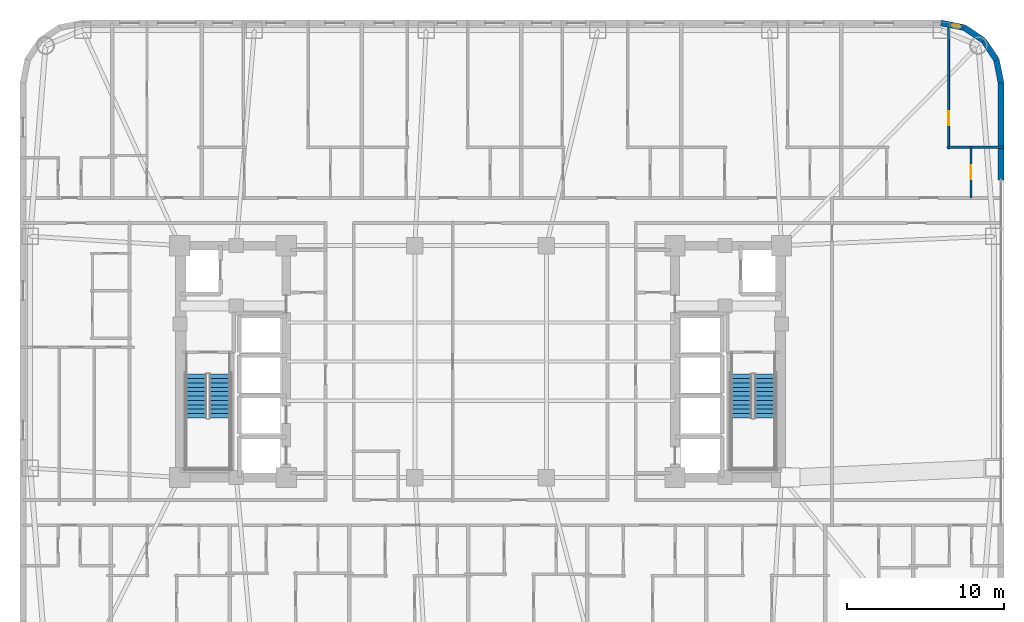
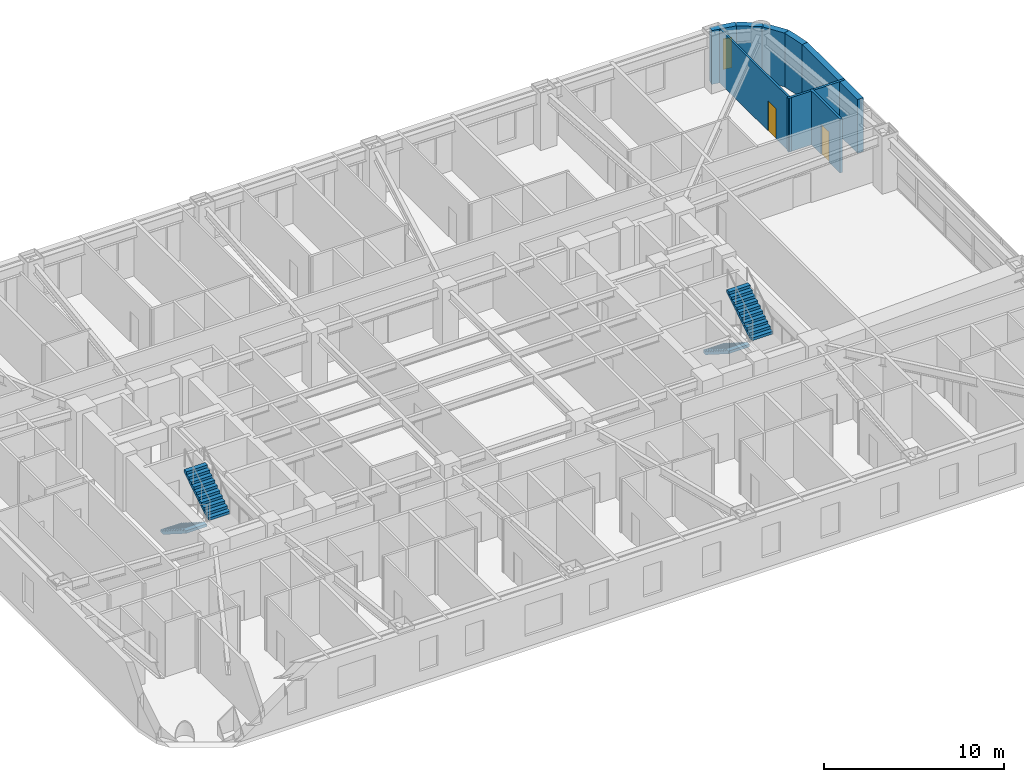
# One storey, part 14 of 16: 8 walls, 4 stair flights, 2 doors, 1 window, 3 openings, 2 elements without a shape of their own.
"""IFC4 building model written with IfcOpenShell, lengths in metres."""

from ifc_helpers import new_model, si_unit, direction, frame, frame_2d, origin, place, context, subcontext, project, spatial, polyline, rectangle, outline, extrude, material, layer, layer_set, type_object, element, fill, aggregate, save


model = new_model("IFC4")

# Units and contexts
model_context = context("Model", 3, precision=1e-05, world=origin(), true_north=direction((0.0, 1.0)))
body_context = subcontext(model_context, "Body", "Model", "MODEL_VIEW")
ifc_project = project(units=[si_unit("LENGTHUNIT", "METRE"), si_unit("AREAUNIT", "SQUARE_METRE"), si_unit("VOLUMEUNIT", "CUBIC_METRE"), si_unit("PLANEANGLEUNIT", "RADIAN"), si_unit("MASSUNIT", "GRAM", prefix="KILO")], contexts=[model_context])

# Site, building, storey
site_placement = place(None, origin())
site = spatial("IfcSite", under=ifc_project, at=site_placement, CompositionType="ELEMENT")
building_placement = place(site_placement, origin())
building = spatial("IfcBuilding", under=site, at=building_placement, Name="Voryun Gate Residences", CompositionType="ELEMENT")
storey_placement = place(building_placement, frame((0.0, 0.0, 93.60009765625)))
storey = spatial("IfcBuildingStorey", under=building, at=storey_placement, Name="L22", CompositionType="ELEMENT", Elevation=93.60009765625)

# Wall, opening, window
ifc_material_1 = material(Name="Granite masonry", Category="masonry")
ifc_layer_1 = layer(ifc_material_1, 0.3798828125, Name="W_EXT_GRANITE_380")
ifc_layer_set_1 = layer_set([ifc_layer_1], Name="Granite masonry")
wall_type_1 = type_object("IfcWallType", Name="W_EXT_GRANITE_380", PredefinedType="ELEMENTEDWALL", material=ifc_layer_set_1)
wall_1_placement = place(storey_placement, frame((29.38134765625, 21.610107421875, 0.0), z_axis=(0.0, 0.0, 1.0), x_axis=(0.980755066645, -0.195242155415, 0.0)))
wall_1 = element("IfcWall", 1, at=wall_1_placement, inside=storey, type_object=wall_type_1, Name="Exterior wall WEXT-L22-12", PredefinedType="ELEMENTEDWALL", context=body_context, shape_type="SweptSolid", body=[
    extrude(rectangle(XDim=1.50439453125, YDim=0.3798828125, at=frame_2d((0.752197265625, 0.0))), origin(), (0.0, 0.0, 1.0), 3.64990234375),
])
opening_1_placement = place(wall_1_placement, frame((0.732177734375, 0.0, 0.75)))
opening_1 = element("IfcOpeningElement", 2, at=opening_1_placement, cuts=wall_1, Name="Opening WN10", PredefinedType="OPENING", context=body_context, shape_type="SweptSolid", body=[
    extrude(rectangle(XDim=0.52001953125, YDim=2.050048828125, at=frame_2d((0.260009765625, 1.02490234375))), frame((0.0, 0.199951171875, 0.0), z_axis=(0.0, -1.0, 0.0), x_axis=(1.0, 0.0, 0.0)), (0.0, 0.0, 1.0), 0.39990234375),
])
ifc_material_2 = material(Name="Laminated low-E glass", Category="glass")
window_type = type_object("IfcWindowType", Name="WN_PAGODA_LANCET_520", PartitioningType="SINGLE_PANEL", PredefinedType="WINDOW", material=ifc_material_2)
window_placement = place(opening_1_placement, origin())
window = element("IfcWindow", 3, at=window_placement, inside=storey, type_object=window_type, Name="Window WN-L22-DWFIX-15", OverallHeight=2.050048828125, OverallWidth=0.52001953125, PartitioningType="SINGLE_PANEL", PredefinedType="WINDOW", context=body_context, shape_type="SweptSolid", body=[
    extrude(rectangle(XDim=0.52001953125, YDim=2.050048828125, at=frame_2d((0.260009765625, 1.02490234375))), frame((0.0, 0.030029296875, 0.0), z_axis=(0.0, -1.0, 0.0), x_axis=(1.0, 0.0, 0.0)), (0.0, 0.0, 1.0), 0.06005859375),
])
fill(opening_1, window)

# Walls
wall_2_placement = place(storey_placement, frame((30.856689453125, 21.31640625, 0.0), z_axis=(0.0, 0.0, 1.0), x_axis=(0.831468045563, -0.555572577804, 0.0)))
element("IfcWall", 4, at=wall_2_placement, inside=storey, type_object=wall_type_1, Name="Exterior wall WEXT-L22-13", PredefinedType="ELEMENTEDWALL", context=body_context, shape_type="SweptSolid", body=[
    extrude(rectangle(XDim=1.48486328125, YDim=0.3798828125, at=frame_2d((0.742431640625, 0.0))), origin(), (0.0, 0.0, 1.0), 3.64990234375),
])
wall_3_placement = place(storey_placement, frame((32.09130859375, 20.491455078125, 0.0), z_axis=(0.0, 0.0, 1.0), x_axis=(0.555610286119, -0.831442848281, 0.0)))
element("IfcWall", 5, at=wall_3_placement, inside=storey, type_object=wall_type_1, Name="Exterior wall WEXT-L22-14", PredefinedType="ELEMENTEDWALL", context=body_context, shape_type="SweptSolid", body=[
    extrude(rectangle(XDim=1.485107421875, YDim=0.3798828125, at=frame_2d((0.74267578125, 0.0))), origin(), (0.0, 0.0, 1.0), 3.64990234375),
])
wall_4_placement = place(storey_placement, frame((32.91650390625, 19.256591796875, 0.0), z_axis=(0.0, 0.0, 1.0), x_axis=(0.195086038585, -0.980786132421, 0.0)))
element("IfcWall", 6, at=wall_4_placement, inside=storey, type_object=wall_type_1, Name="Exterior wall WEXT-L22-15", PredefinedType="ELEMENTEDWALL", context=body_context, shape_type="SweptSolid", body=[
    extrude(rectangle(XDim=1.504150390625, YDim=0.3798828125, at=frame_2d((0.751953125, 0.0))), origin(), (0.0, 0.0, 1.0), 3.64990234375),
])
wall_5_placement = place(storey_placement, frame((33.2099609375, 17.78125, 0.0), z_axis=(0.0, 0.0, 1.0), x_axis=(0.0, -1.0, 0.0)))
element("IfcWall", 7, at=wall_5_placement, inside=storey, type_object=wall_type_1, Name="Exterior wall WEXT-L22-16A", PredefinedType="ELEMENTEDWALL", context=body_context, shape_type="SweptSolid", body=[
    extrude(rectangle(XDim=6.185302734375, YDim=0.3798828125, at=frame_2d((3.0927734375, 0.0))), origin(), (0.0, 0.0, 1.0), 3.64990234375),
])

# Wall, opening, door
ifc_material_3 = material(Name="Gypsum acoustic partition")
ifc_layer_2 = layer(ifc_material_3, 0.125, Name="W_UNIT_PART_125")
ifc_layer_set_2 = layer_set([ifc_layer_2], Name="Gypsum acoustic partition")
wall_type_2 = type_object("IfcWallType", Name="W_UNIT_PART_125", PredefinedType="PARTITIONING", material=ifc_layer_set_2)
wall_6_placement = place(storey_placement, frame((29.867919921875, 13.590087890625, 0.0), z_axis=(0.0, 0.0, 1.0), x_axis=(0.0, 1.0, 0.0)))
wall_6 = element("IfcWall", 8, at=wall_6_placement, inside=storey, type_object=wall_type_2, Name="Partition wall WP-L22-N7-OVR", PredefinedType="PARTITIONING", context=body_context, shape_type="SweptSolid", body=[
    extrude(rectangle(XDim=8.075927734375, YDim=0.125, at=frame_2d((4.0380859375, 0.0))), origin(), (0.0, 0.0, 1.0), 3.64990234375),
])
opening_2_placement = place(wall_6_placement, frame((1.48828125, 0.0, 0.0)))
opening_2 = element("IfcOpeningElement", 9, at=opening_2_placement, cuts=wall_6, Name="Opening D-INT-2", PredefinedType="OPENING", context=body_context, shape_type="SweptSolid", body=[
    extrude(rectangle(XDim=0.89990234375, YDim=2.050048828125, at=frame_2d((0.449951171875, 1.02490234375))), frame((0.0, 0.072509765625, 0.0), z_axis=(0.0, -1.0, 0.0), x_axis=(1.0, 0.0, 0.0)), (0.0, 0.0, 1.0), 0.14501953125),
])
ifc_material_4 = material(Name="Architectural oak veneer")
door_type = type_object("IfcDoorType", Name="DR_INT_BATH_900", OperationType="NOTDEFINED", PredefinedType="DOOR", material=ifc_material_4)
door_1_placement = place(opening_2_placement, origin())
door_1 = element("IfcDoor", 10, at=door_1_placement, inside=storey, type_object=door_type, Name="Door DR-L22-N7-DMB", OperationType="SINGLE_SWING_RIGHT", OverallHeight=2.050048828125, OverallWidth=0.89990234375, PredefinedType="DOOR", context=body_context, shape_type="SweptSolid", body=[
    extrude(rectangle(XDim=0.89990234375, YDim=2.050048828125, at=frame_2d((0.449951171875, 1.02490234375))), frame((0.0, 0.02490234375, 0.0), z_axis=(0.0, -1.0, 0.0), x_axis=(1.0, 0.0, 0.0)), (0.0, 0.0, 1.0), 0.050048828125),
])
fill(opening_2, door_1)

# Wall
ifc_material_5 = material(Name="Gypsum moisture-resistant partition")
ifc_layer_3 = layer(ifc_material_5, 0.14990234375, Name="W_WET_PLUMB_150")
ifc_layer_set_3 = layer_set([ifc_layer_3], Name="Gypsum moisture-resistant partition")
wall_type_3 = type_object("IfcWallType", Name="W_WET_PLUMB_150", PredefinedType="PLUMBINGWALL", material=ifc_layer_set_3)
wall_7_placement = place(storey_placement, frame((29.748046875, 13.669921875, 0.0), z_axis=(0.0, 0.0, 1.0), x_axis=(1.0, 0.0, 0.0)))
element("IfcWall", 11, at=wall_7_placement, inside=storey, type_object=wall_type_3, Name="Partition wall WP-L22-N7-HZB", PredefinedType="PLUMBINGWALL", context=body_context, shape_type="SweptSolid", body=[
    extrude(rectangle(XDim=3.612060546875, YDim=0.14990234375, at=frame_2d((1.80615234375, 0.0))), origin(), (0.0, 0.0, 1.0), 3.64990234375),
])

# Wall, opening, door
wall_8_placement = place(storey_placement, frame((31.298095703125, 10.429931640625, 0.0), z_axis=(0.0, 0.0, 1.0), x_axis=(0.0, 1.0, 0.0)))
wall_8 = element("IfcWall", 12, at=wall_8_placement, inside=storey, type_object=wall_type_3, Name="Partition wall WP-L22-N7-IVB", PredefinedType="PLUMBINGWALL", context=body_context, shape_type="SweptSolid", body=[
    extrude(rectangle(XDim=3.320068359375, YDim=0.14990234375, at=frame_2d((1.66015625, 0.0))), origin(), (0.0, 0.0, 1.0), 3.64990234375),
])
opening_3_placement = place(wall_8_placement, frame((1.2099609375, 0.0, 0.0)))
opening_3 = element("IfcOpeningElement", 13, at=opening_3_placement, cuts=wall_8, Name="Opening D-INT-2", PredefinedType="OPENING", context=body_context, shape_type="SweptSolid", body=[
    extrude(rectangle(XDim=0.89990234375, YDim=2.050048828125, at=frame_2d((0.449951171875, 1.02490234375))), frame((0.0, 0.0849609375, 0.0), z_axis=(0.0, -1.0, 0.0), x_axis=(1.0, 0.0, 0.0)), (0.0, 0.0, 1.0), 0.169921875),
])
door_2_placement = place(opening_3_placement, origin())
door_2 = element("IfcDoor", 14, at=door_2_placement, inside=storey, type_object=door_type, Name="Door DR-L22-N7-DB", OperationType="SINGLE_SWING_RIGHT", OverallHeight=2.050048828125, OverallWidth=0.89990234375, PredefinedType="DOOR", context=body_context, shape_type="SweptSolid", body=[
    extrude(rectangle(XDim=0.89990234375, YDim=2.050048828125, at=frame_2d((0.449951171875, 1.02490234375))), frame((0.0, 0.02490234375, 0.0), z_axis=(0.0, -1.0, 0.0), x_axis=(1.0, 0.0, 0.0)), (0.0, 0.0, 1.0), 0.050048828125),
])
fill(opening_3, door_2)

# Stair, stair flights
ifc_material_6 = material(Name="Concrete C40/50", Category="concrete")
stair_type = type_object("IfcStairType", Name="STR_CORE_DOGLEG_1350", PredefinedType="HALF_TURN_STAIR", material=ifc_material_6)
stair_1_placement = place(storey_placement, origin())
stair_1 = element("IfcStair", 15, at=stair_1_placement, inside=storey, type_object=stair_type, Name="L22 Special Escape Stair ST-W1", PredefinedType="HALF_TURN_STAIR")
ifc_material_7 = material(Name="Concrete C40/50", Category="concrete")
stair_flight_type = type_object("IfcStairFlightType", Name="FLT_CORE_1350", PredefinedType="STRAIGHT", material=ifc_material_7)
stair_flight_1_placement = place(storey_placement, frame((-18.14990234375, -0.800048828125, 0.0), z_axis=(0.0, 0.0, 1.0), x_axis=(0.0, -1.0, 0.0)))
stair_flight_1 = element("IfcStairFlight", 16, at=stair_flight_1_placement, type_object=stair_flight_type, Name="ST-W1 flight 1", NumberOfRisers=11, NumberOfTreads=10, PredefinedType="STRAIGHT", RiserHeight=0.177272727, TreadLength=0.28, context=body_context, shape_type="SweptSolid", body=[
    extrude(outline(polyline([(0.0, 0.0), (0.0, 0.17724609375), (0.280029296875, 0.17724609375), (0.280029296875, 0.3544921875), (0.56005859375, 0.3544921875), (0.56005859375, 0.53173828125), (0.840087890625, 0.53173828125), (0.840087890625, 0.708984375), (1.1201171875, 0.708984375), (1.1201171875, 0.886474609375), (1.39990234375, 0.886474609375), (1.39990234375, 1.063720703125), (1.679931640625, 1.063720703125), (1.679931640625, 1.240966796875), (1.9599609375, 1.240966796875), (1.9599609375, 1.418212890625), (2.239990234375, 1.418212890625), (2.239990234375, 1.595458984375), (2.52001953125, 1.595458984375), (2.52001953125, 1.772705078125), (2.800048828125, 1.772705078125), (2.800048828125, 1.949951171875), (2.800048828125, 1.59521484375), (0.2802734375, 0.0), (0.0, 0.0)])), frame((0.0, 0.675048828125, 0.0), z_axis=(0.0, -1.0, 0.0), x_axis=(1.0, 0.0, 0.0)), (0.0, 0.0, 1.0), 1.35009765625),
])
stair_flight_2_placement = place(storey_placement, frame((-16.64990234375, -3.60009765625, 1.949951171875), z_axis=(0.0, 0.0, 1.0), x_axis=(0.0, 1.0, 0.0)))
stair_flight_2 = element("IfcStairFlight", 17, at=stair_flight_2_placement, type_object=stair_flight_type, Name="ST-W1 flight 2", NumberOfRisers=11, NumberOfTreads=10, PredefinedType="STRAIGHT", RiserHeight=0.177272727, TreadLength=0.28, context=body_context, shape_type="SweptSolid", body=[
    extrude(outline(polyline([(0.0, 0.0), (0.0, 0.17724609375), (0.280029296875, 0.17724609375), (0.280029296875, 0.3544921875), (0.56005859375, 0.3544921875), (0.56005859375, 0.53173828125), (0.840087890625, 0.53173828125), (0.840087890625, 0.708984375), (1.1201171875, 0.708984375), (1.1201171875, 0.886474609375), (1.39990234375, 0.886474609375), (1.39990234375, 1.063720703125), (1.679931640625, 1.063720703125), (1.679931640625, 1.240966796875), (1.9599609375, 1.240966796875), (1.9599609375, 1.418212890625), (2.239990234375, 1.418212890625), (2.239990234375, 1.595458984375), (2.52001953125, 1.595458984375), (2.52001953125, 1.772705078125), (2.800048828125, 1.772705078125), (2.800048828125, 1.949951171875), (2.800048828125, 1.59521484375), (0.2802734375, 0.0), (0.0, 0.0)])), frame((0.0, 0.675048828125, 0.0), z_axis=(0.0, -1.0, 0.0), x_axis=(1.0, 0.0, 0.0)), (0.0, 0.0, 1.0), 1.35009765625),
])
aggregate(stair_1, [stair_flight_1, stair_flight_2])

stair_2_placement = place(storey_placement, origin())
stair_2 = element("IfcStair", 18, at=stair_2_placement, inside=storey, type_object=stair_type, Name="L22 Special Escape Stair ST-E1", PredefinedType="HALF_TURN_STAIR")
stair_flight_3_placement = place(storey_placement, frame((16.64990234375, -0.800048828125, 0.0), z_axis=(0.0, 0.0, 1.0), x_axis=(0.0, -1.0, 0.0)))
stair_flight_3 = element("IfcStairFlight", 19, at=stair_flight_3_placement, type_object=stair_flight_type, Name="ST-E1 flight 1", NumberOfRisers=11, NumberOfTreads=10, PredefinedType="STRAIGHT", RiserHeight=0.177272727, TreadLength=0.28, context=body_context, shape_type="SweptSolid", body=[
    extrude(outline(polyline([(0.0, 0.0), (0.0, 0.17724609375), (0.280029296875, 0.17724609375), (0.280029296875, 0.3544921875), (0.56005859375, 0.3544921875), (0.56005859375, 0.53173828125), (0.840087890625, 0.53173828125), (0.840087890625, 0.708984375), (1.1201171875, 0.708984375), (1.1201171875, 0.886474609375), (1.39990234375, 0.886474609375), (1.39990234375, 1.063720703125), (1.679931640625, 1.063720703125), (1.679931640625, 1.240966796875), (1.9599609375, 1.240966796875), (1.9599609375, 1.418212890625), (2.239990234375, 1.418212890625), (2.239990234375, 1.595458984375), (2.52001953125, 1.595458984375), (2.52001953125, 1.772705078125), (2.800048828125, 1.772705078125), (2.800048828125, 1.949951171875), (2.800048828125, 1.59521484375), (0.2802734375, 0.0), (0.0, 0.0)])), frame((0.0, 0.675048828125, 0.0), z_axis=(0.0, -1.0, 0.0), x_axis=(1.0, 0.0, 0.0)), (0.0, 0.0, 1.0), 1.35009765625),
])
stair_flight_4_placement = place(storey_placement, frame((18.14990234375, -3.60009765625, 1.949951171875), z_axis=(0.0, 0.0, 1.0), x_axis=(0.0, 1.0, 0.0)))
stair_flight_4 = element("IfcStairFlight", 20, at=stair_flight_4_placement, type_object=stair_flight_type, Name="ST-E1 flight 2", NumberOfRisers=11, NumberOfTreads=10, PredefinedType="STRAIGHT", RiserHeight=0.177272727, TreadLength=0.28, context=body_context, shape_type="SweptSolid", body=[
    extrude(outline(polyline([(0.0, 0.0), (0.0, 0.17724609375), (0.280029296875, 0.17724609375), (0.280029296875, 0.3544921875), (0.56005859375, 0.3544921875), (0.56005859375, 0.53173828125), (0.840087890625, 0.53173828125), (0.840087890625, 0.708984375), (1.1201171875, 0.708984375), (1.1201171875, 0.886474609375), (1.39990234375, 0.886474609375), (1.39990234375, 1.063720703125), (1.679931640625, 1.063720703125), (1.679931640625, 1.240966796875), (1.9599609375, 1.240966796875), (1.9599609375, 1.418212890625), (2.239990234375, 1.418212890625), (2.239990234375, 1.595458984375), (2.52001953125, 1.595458984375), (2.52001953125, 1.772705078125), (2.800048828125, 1.772705078125), (2.800048828125, 1.949951171875), (2.800048828125, 1.59521484375), (0.2802734375, 0.0), (0.0, 0.0)])), frame((0.0, 0.675048828125, 0.0), z_axis=(0.0, -1.0, 0.0), x_axis=(1.0, 0.0, 0.0)), (0.0, 0.0, 1.0), 1.35009765625),
])
aggregate(stair_2, [stair_flight_3, stair_flight_4])

save(model, "model.ifc")
